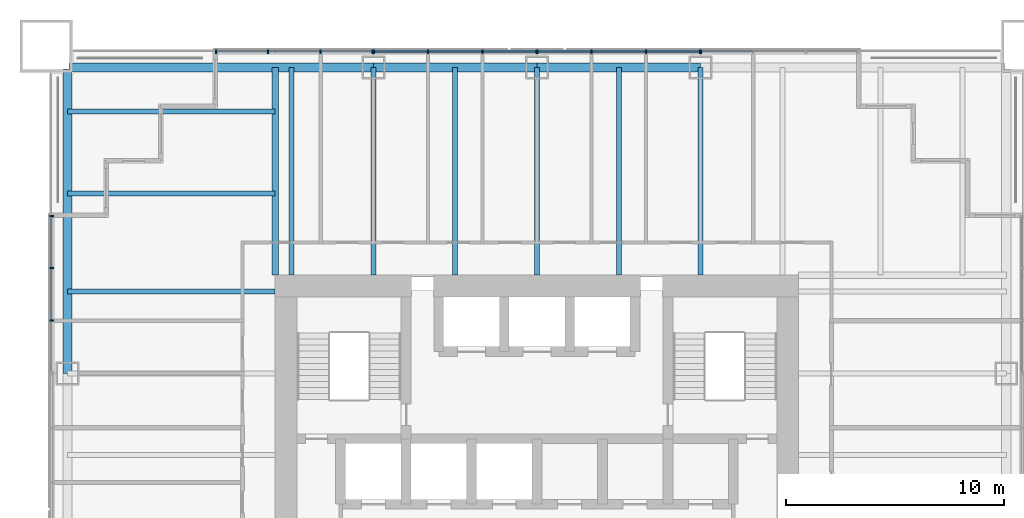
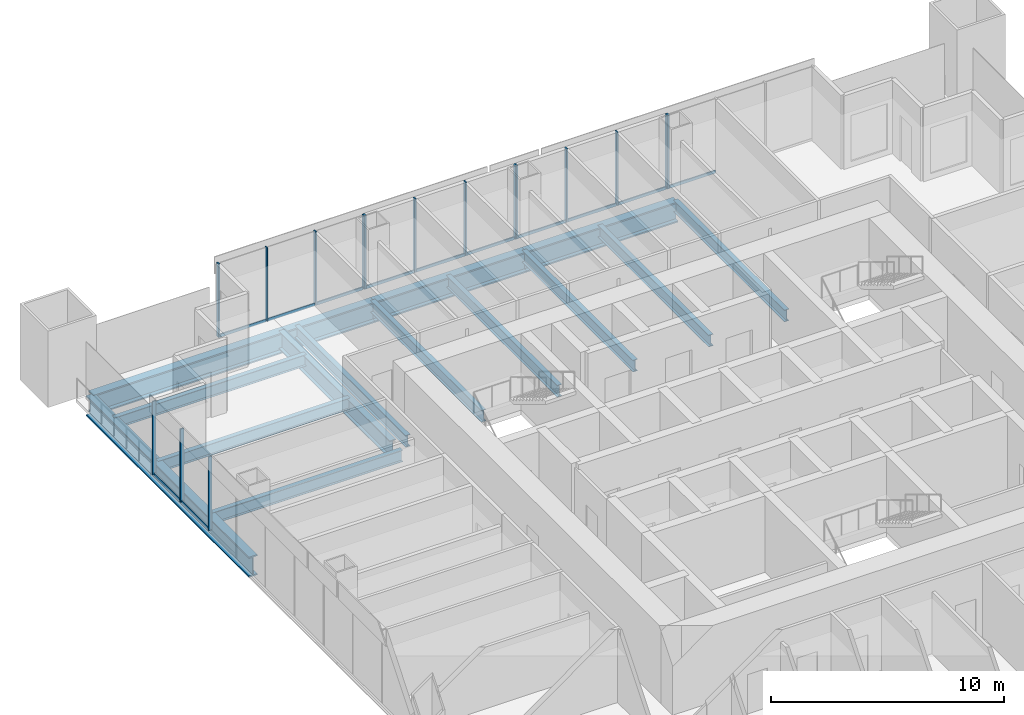
# One storey, part 5 of 14: 28 members, 14 beams, 5 elements without a shape of their own.
"""IFC4 building model written with IfcOpenShell, lengths in metres."""

from ifc_helpers import new_model, si_unit, direction, frame, origin, origin_2d, place, context, subcontext, project, spatial, rectangle, i_section, extrude, material, material_profile, profile_set, type_object, element, aggregate, save


model = new_model("IFC4")

# Units and contexts
model_context = context("Model", 3, precision=1e-05, world=origin(), true_north=direction((0.0, 1.0)))
body_context = subcontext(model_context, "Body", "Model", "MODEL_VIEW")
ifc_project = project(units=[si_unit("LENGTHUNIT", "METRE"), si_unit("AREAUNIT", "SQUARE_METRE"), si_unit("VOLUMEUNIT", "CUBIC_METRE"), si_unit("PLANEANGLEUNIT", "RADIAN"), si_unit("MASSUNIT", "GRAM", prefix="KILO")], contexts=[model_context])

# Site, building, storey
site_placement = place(None, origin())
site = spatial("IfcSite", under=ifc_project, at=site_placement, CompositionType="ELEMENT")
building_placement = place(site_placement, origin())
building = spatial("IfcBuilding", under=site, at=building_placement, Name="Tarangal Relay Tower", CompositionType="ELEMENT")
storey_placement = place(building_placement, frame((0.0, 0.0, 229.89990234375)))
storey = spatial("IfcBuildingStorey", under=building, at=storey_placement, Name="L49", CompositionType="ELEMENT", Elevation=229.89990234375)

# Beams
ifc_material_1 = material(Name="Steel ASTM A992", Category="steel")
ifc_material_profile_1 = material_profile(ifc_material_1, i_section(OverallWidth=0.227783203125, OverallDepth=0.60205078125, WebThickness=0.010498046875, FlangeThickness=0.014892578125, at=origin_2d()), Name="W24X68")
ifc_profile_set_1 = profile_set([ifc_material_profile_1], Name="Steel ASTM A992")
beam_type_1 = type_object("IfcBeamType", Name="Corner beam W24X68", PredefinedType="JOIST", material=ifc_profile_set_1)
for number, where, z_axis, x_axis, name in (
    (1, (-12.0, 15.75, -0.450927734375), (-1.0, 0.0, 0.0), (0.0, -1.0, 0.0), "Corner beam CB11 W L49"),
    (2, (-12.0, 19.5, -0.450927734375), (-1.0, 0.0, 0.0), (0.0, -1.0, 0.0), "Corner beam CB11 W L49"),
):
    element("IfcBeam", number, at=place(storey_placement, frame(where, z_axis=z_axis, x_axis=x_axis)), inside=storey, type_object=beam_type_1, Name=name, PredefinedType="JOIST", context=body_context, shape_type="SweptSolid", body=[
        extrude(i_section(OverallWidth=0.227783203125, OverallDepth=0.60205078125, WebThickness=0.010498046875, FlangeThickness=0.014892578125, at=origin_2d()), origin(), (0.0, 0.0, 1.0), 9.514892578125),
    ])
ifc_material_profile_2 = material_profile(ifc_material_1, i_section(OverallWidth=0.307373046875, OverallDepth=0.9423828125, WebThickness=0.022216796875, FlangeThickness=0.039794921875, at=origin_2d()), Name="W36X232")
ifc_profile_set_2 = profile_set([ifc_material_profile_2], Name="Steel ASTM A992")
beam_type_2 = type_object("IfcBeamType", Name="Corner girder W36X232", PredefinedType="BEAM", material=ifc_profile_set_2)
beam_1_placement = place(storey_placement, frame((-12.0, 12.0, -0.62109375), z_axis=(0.0, 1.0, 0.0), x_axis=(-1.0, 0.0, 0.0)))
element("IfcBeam", 3, at=beam_1_placement, inside=storey, type_object=beam_type_2, Name="Corner girder CG4 W L49", PredefinedType="BEAM", context=body_context, shape_type="SweptSolid", body=[
    extrude(i_section(OverallWidth=0.307373046875, OverallDepth=0.9423828125, WebThickness=0.022216796875, FlangeThickness=0.039794921875, at=origin_2d()), origin(), (0.0, 0.0, 1.0), 9.514892578125),
])
ifc_material_profile_3 = material_profile(ifc_material_1, i_section(OverallWidth=0.41650390625, OverallDepth=1.0693359375, WebThickness=0.0390625, FlangeThickness=0.070068359375, at=origin_2d()), Name="W40X503")
ifc_profile_set_3 = profile_set([ifc_material_profile_3], Name="Steel ASTM A992")
beam_type_3 = type_object("IfcBeamType", Name="Edge girder W40X503", PredefinedType="SPANDREL", material=ifc_profile_set_3)
beam_2_placement = place(storey_placement, frame((-21.449951171875, 21.514892578125, -0.6845703125), z_axis=(1.0, 0.0, 0.0), x_axis=(0.0, 1.0, 0.0)))
element("IfcBeam", 4, at=beam_2_placement, inside=storey, type_object=beam_type_3, Name="Edge girder EG8 N L49", PredefinedType="SPANDREL", context=body_context, shape_type="SweptSolid", body=[
    extrude(i_section(OverallWidth=0.41650390625, OverallDepth=1.0693359375, WebThickness=0.0390625, FlangeThickness=0.070068359375, at=origin_2d()), origin(), (0.0, 0.0, 1.0), 13.949951171875),
])
for number, where, z_axis, x_axis, name in (
    (5, (-7.5, 21.514892578125, -0.6845703125), (1.0, 0.0, 0.0), (0.0, 1.0, 0.0), "Edge girder EG8 N L49"),
    (6, (0.0, 21.514892578125, -0.6845703125), (1.0, 0.0, 0.0), (0.0, 1.0, 0.0), "Edge girder EG8 N L49"),
):
    element("IfcBeam", number, at=place(storey_placement, frame(where, z_axis=z_axis, x_axis=x_axis)), inside=storey, type_object=beam_type_3, Name=name, PredefinedType="SPANDREL", context=body_context, shape_type="SweptSolid", body=[
        extrude(i_section(OverallWidth=0.41650390625, OverallDepth=1.0693359375, WebThickness=0.0390625, FlangeThickness=0.070068359375, at=origin_2d()), origin(), (0.0, 0.0, 1.0), 7.5),
    ])
beam_3_placement = place(storey_placement, frame((-21.514892578125, 7.5, -0.6845703125), z_axis=(0.0, 1.0, 0.0), x_axis=(-1.0, 0.0, 0.0)))
element("IfcBeam", 7, at=beam_3_placement, inside=storey, type_object=beam_type_3, Name="Edge girder EG8 W L49", PredefinedType="SPANDREL", context=body_context, shape_type="SweptSolid", body=[
    extrude(i_section(OverallWidth=0.41650390625, OverallDepth=1.0693359375, WebThickness=0.0390625, FlangeThickness=0.070068359375, at=origin_2d()), origin(), (0.0, 0.0, 1.0), 13.949951171875),
])
ifc_material_profile_4 = material_profile(ifc_material_1, i_section(OverallWidth=0.22900390625, OverallDepth=0.612060546875, WebThickness=0.011962890625, FlangeThickness=0.01953125, at=origin_2d()), Name="W24X84")
ifc_profile_set_4 = profile_set([ifc_material_profile_4], Name="Steel ASTM A992")
beam_type_4 = type_object("IfcBeamType", Name="Floor beam W24X84", PredefinedType="BEAM", material=ifc_profile_set_4)
for number, where, z_axis, x_axis, name in (
    (8, (-11.25, 12.0, -0.455810546875), (0.0, 1.0, 0.0), (-1.0, 0.0, 0.0), "Floor beam RB12 N L49"),
    (9, (-7.5, 12.0, -0.455810546875), (0.0, 1.0, 0.0), (-1.0, 0.0, 0.0), "Floor beam RB12 N L49"),
    (10, (-3.75, 12.0, -0.455810546875), (0.0, 1.0, 0.0), (-1.0, 0.0, 0.0), "Floor beam RB12 N L49"),
    (11, (0.0, 12.0, -0.455810546875), (0.0, 1.0, 0.0), (-1.0, 0.0, 0.0), "Floor beam RB12 N L49"),
    (12, (3.75, 12.0, -0.455810546875), (0.0, 1.0, 0.0), (-1.0, 0.0, 0.0), "Floor beam RB12 N L49"),
    (13, (7.5, 12.0, -0.455810546875), (0.0, 1.0, 0.0), (-1.0, 0.0, 0.0), "Floor beam RB12 N L49"),
    (14, (-12.0, 11.25, -0.455810546875), (-1.0, 0.0, 0.0), (0.0, -1.0, 0.0), "Floor beam RB12 W L49"),
):
    element("IfcBeam", number, at=place(storey_placement, frame(where, z_axis=z_axis, x_axis=x_axis)), inside=storey, type_object=beam_type_4, Name=name, PredefinedType="BEAM", context=body_context, shape_type="SweptSolid", body=[
        extrude(i_section(OverallWidth=0.22900390625, OverallDepth=0.612060546875, WebThickness=0.011962890625, FlangeThickness=0.01953125, at=origin_2d()), origin(), (0.0, 0.0, 1.0), 9.514892578125),
    ])

# Curtain wall, members
ifc_material_2 = material(Name="Unitised curtain wall, dark glass and black aluminium", Category="aluminium")
curtain_wall_type_1 = type_object("IfcCurtainWallType", Name="Curtain wall CW-A", PredefinedType="USERDEFINED", material=ifc_material_2)
curtain_wall_1_placement = place(storey_placement, origin())
curtain_wall_1 = element("IfcCurtainWall", 15, at=curtain_wall_1_placement, inside=storey, type_object=curtain_wall_type_1, Name="Curtain wall CW-A N facade L49", ObjectType="UNITISED CURTAIN WALL", PredefinedType="USERDEFINED")
ifc_material_3 = material(Name="Black anodised aluminium mullion", Category="aluminium")
ifc_material_profile_5 = material_profile(ifc_material_3, rectangle(XDim=0.175048828125, YDim=0.06494140625, at=origin_2d()), Name="CW-AM 65X175")
ifc_profile_set_5 = profile_set([ifc_material_profile_5], Name="Black anodised aluminium mullion")
member_type_1 = type_object("IfcMemberType", Name="Mullion CW-A 65 x 175", PredefinedType="MULLION", material=ifc_profile_set_5)
member_1_placement = place(storey_placement, frame((-14.717529296875, 22.25, 0.0), z_axis=(0.0, 0.0, 1.0), x_axis=(0.0, 1.0, 0.0)))
member_1 = element("IfcMember", 16, at=member_1_placement, type_object=member_type_1, Name="CW-A mullion 1", PredefinedType="MULLION", context=body_context, shape_type="SweptSolid", body=[
    extrude(rectangle(XDim=0.175048828125, YDim=0.06494140625, at=origin_2d()), origin(), (0.0, 0.0, 1.0), 3.85009765625),
])
member_2_placement = place(storey_placement, frame((-12.333251953125, 22.25, 0.0), z_axis=(0.0, 0.0, 1.0), x_axis=(0.0, 1.0, 0.0)))
member_2 = element("IfcMember", 17, at=member_2_placement, type_object=member_type_1, Name="CW-A mullion 2", PredefinedType="MULLION", context=body_context, shape_type="SweptSolid", body=[
    extrude(rectangle(XDim=0.175048828125, YDim=0.06494140625, at=origin_2d()), origin(), (0.0, 0.0, 1.0), 3.85009765625),
])
member_3_placement = place(storey_placement, frame((-9.916748046875, 22.25, 0.0), z_axis=(0.0, 0.0, 1.0), x_axis=(0.0, 1.0, 0.0)))
member_3 = element("IfcMember", 18, at=member_3_placement, type_object=member_type_1, Name="CW-A mullion 3", PredefinedType="MULLION", context=body_context, shape_type="SweptSolid", body=[
    extrude(rectangle(XDim=0.175048828125, YDim=0.06494140625, at=origin_2d()), origin(), (0.0, 0.0, 1.0), 3.85009765625),
])
member_4_placement = place(storey_placement, frame((-7.532470703125, 22.25, 0.0), z_axis=(0.0, 0.0, 1.0), x_axis=(0.0, 1.0, 0.0)))
member_4 = element("IfcMember", 19, at=member_4_placement, type_object=member_type_1, Name="CW-A mullion 4", PredefinedType="MULLION", context=body_context, shape_type="SweptSolid", body=[
    extrude(rectangle(XDim=0.175048828125, YDim=0.06494140625, at=origin_2d()), origin(), (0.0, 0.0, 1.0), 3.85009765625),
])

# Curtain wall, member
curtain_wall_2_placement = place(storey_placement, origin())
curtain_wall_2 = element("IfcCurtainWall", 20, at=curtain_wall_2_placement, inside=storey, type_object=curtain_wall_type_1, Name="Curtain wall CW-A N facade L49", ObjectType="UNITISED CURTAIN WALL", PredefinedType="USERDEFINED")
member_5_placement = place(storey_placement, frame((7.532470703125, 22.25, 0.0), z_axis=(0.0, 0.0, 1.0), x_axis=(0.0, 1.0, 0.0)))
member_5 = element("IfcMember", 21, at=member_5_placement, type_object=member_type_1, Name="CW-A mullion 1", PredefinedType="MULLION", context=body_context, shape_type="SweptSolid", body=[
    extrude(rectangle(XDim=0.175048828125, YDim=0.06494140625, at=origin_2d()), origin(), (0.0, 0.0, 1.0), 3.85009765625),
])

# Curtain wall, members
curtain_wall_3_placement = place(storey_placement, origin())
curtain_wall_3 = element("IfcCurtainWall", 22, at=curtain_wall_3_placement, inside=storey, type_object=curtain_wall_type_1, Name="Curtain wall CW-A W facade L49", ObjectType="UNITISED CURTAIN WALL", PredefinedType="USERDEFINED")
member_6_placement = place(storey_placement, frame((-22.25, 9.916748046875, 0.0), z_axis=(0.0, 0.0, 1.0), x_axis=(-1.0, 0.0, 0.0)))
member_6 = element("IfcMember", 23, at=member_6_placement, type_object=member_type_1, Name="CW-A mullion 2", PredefinedType="MULLION", context=body_context, shape_type="SweptSolid", body=[
    extrude(rectangle(XDim=0.175048828125, YDim=0.06494140625, at=origin_2d()), origin(), (0.0, 0.0, 1.0), 3.85009765625),
])
member_7_placement = place(storey_placement, frame((-22.25, 12.333251953125, 0.0), z_axis=(0.0, 0.0, 1.0), x_axis=(-1.0, 0.0, 0.0)))
member_7 = element("IfcMember", 24, at=member_7_placement, type_object=member_type_1, Name="CW-A mullion 3", PredefinedType="MULLION", context=body_context, shape_type="SweptSolid", body=[
    extrude(rectangle(XDim=0.175048828125, YDim=0.06494140625, at=origin_2d()), origin(), (0.0, 0.0, 1.0), 3.85009765625),
])
member_8_placement = place(storey_placement, frame((-22.25, 14.717529296875, 0.0), z_axis=(0.0, 0.0, 1.0), x_axis=(-1.0, 0.0, 0.0)))
member_8 = element("IfcMember", 25, at=member_8_placement, type_object=member_type_1, Name="CW-A mullion 4", PredefinedType="MULLION", context=body_context, shape_type="SweptSolid", body=[
    extrude(rectangle(XDim=0.175048828125, YDim=0.06494140625, at=origin_2d()), origin(), (0.0, 0.0, 1.0), 3.85009765625),
])

ifc_material_4 = material(Name="Unitised curtain wall frame, black aluminium, with metal clad infill walls", Category="aluminium")
curtain_wall_type_2 = type_object("IfcCurtainWallType", Name="Curtain wall CW-AO", PredefinedType="USERDEFINED", material=ifc_material_4)
curtain_wall_4_placement = place(storey_placement, origin())
curtain_wall_4 = element("IfcCurtainWall", 26, at=curtain_wall_4_placement, inside=storey, type_object=curtain_wall_type_2, Name="Curtain wall CW-AO N facade L49", ObjectType="UNITISED CURTAIN WALL", PredefinedType="USERDEFINED")
ifc_material_profile_6 = material_profile(ifc_material_3, rectangle(XDim=0.175048828125, YDim=0.06494140625, at=origin_2d()), Name="CW-AOM 65X175")
ifc_profile_set_6 = profile_set([ifc_material_profile_6], Name="Black anodised aluminium mullion")
member_type_2 = type_object("IfcMemberType", Name="Mullion CW-AO 65 x 175", PredefinedType="MULLION", material=ifc_profile_set_6)
member_9_placement = place(storey_placement, frame((-7.467529296875, 22.25, 0.0), z_axis=(0.0, 0.0, 1.0), x_axis=(0.0, 1.0, 0.0)))
member_9 = element("IfcMember", 27, at=member_9_placement, type_object=member_type_2, Name="CW-AO mullion 1", PredefinedType="MULLION", context=body_context, shape_type="SweptSolid", body=[
    extrude(rectangle(XDim=0.175048828125, YDim=0.06494140625, at=origin_2d()), origin(), (0.0, 0.0, 1.0), 3.85009765625),
])
member_10_placement = place(storey_placement, frame((-5.0, 22.25, 0.0), z_axis=(0.0, 0.0, 1.0), x_axis=(0.0, 1.0, 0.0)))
member_10 = element("IfcMember", 28, at=member_10_placement, type_object=member_type_2, Name="CW-AO mullion 2", PredefinedType="MULLION", context=body_context, shape_type="SweptSolid", body=[
    extrude(rectangle(XDim=0.175048828125, YDim=0.06494140625, at=origin_2d()), origin(), (0.0, 0.0, 1.0), 3.85009765625),
])
member_11_placement = place(storey_placement, frame((-2.5, 22.25, 0.0), z_axis=(0.0, 0.0, 1.0), x_axis=(0.0, 1.0, 0.0)))
member_11 = element("IfcMember", 29, at=member_11_placement, type_object=member_type_2, Name="CW-AO mullion 3", PredefinedType="MULLION", context=body_context, shape_type="SweptSolid", body=[
    extrude(rectangle(XDim=0.175048828125, YDim=0.06494140625, at=origin_2d()), origin(), (0.0, 0.0, 1.0), 3.85009765625),
])
member_12_placement = place(storey_placement, frame((-0.032470703125, 22.25, 0.0), z_axis=(0.0, 0.0, 1.0), x_axis=(0.0, 1.0, 0.0)))
member_12 = element("IfcMember", 30, at=member_12_placement, type_object=member_type_2, Name="CW-AO mullion 4", PredefinedType="MULLION", context=body_context, shape_type="SweptSolid", body=[
    extrude(rectangle(XDim=0.175048828125, YDim=0.06494140625, at=origin_2d()), origin(), (0.0, 0.0, 1.0), 3.85009765625),
])

curtain_wall_5_placement = place(storey_placement, origin())
curtain_wall_5 = element("IfcCurtainWall", 31, at=curtain_wall_5_placement, inside=storey, type_object=curtain_wall_type_2, Name="Curtain wall CW-AO N facade L49", ObjectType="UNITISED CURTAIN WALL", PredefinedType="USERDEFINED")
member_13_placement = place(storey_placement, frame((0.032470703125, 22.25, 0.0), z_axis=(0.0, 0.0, 1.0), x_axis=(0.0, 1.0, 0.0)))
member_13 = element("IfcMember", 32, at=member_13_placement, type_object=member_type_2, Name="CW-AO mullion 1", PredefinedType="MULLION", context=body_context, shape_type="SweptSolid", body=[
    extrude(rectangle(XDim=0.175048828125, YDim=0.06494140625, at=origin_2d()), origin(), (0.0, 0.0, 1.0), 3.85009765625),
])
member_14_placement = place(storey_placement, frame((2.5, 22.25, 0.0), z_axis=(0.0, 0.0, 1.0), x_axis=(0.0, 1.0, 0.0)))
member_14 = element("IfcMember", 33, at=member_14_placement, type_object=member_type_2, Name="CW-AO mullion 2", PredefinedType="MULLION", context=body_context, shape_type="SweptSolid", body=[
    extrude(rectangle(XDim=0.175048828125, YDim=0.06494140625, at=origin_2d()), origin(), (0.0, 0.0, 1.0), 3.85009765625),
])
member_15_placement = place(storey_placement, frame((5.0, 22.25, 0.0), z_axis=(0.0, 0.0, 1.0), x_axis=(0.0, 1.0, 0.0)))
member_15 = element("IfcMember", 34, at=member_15_placement, type_object=member_type_2, Name="CW-AO mullion 3", PredefinedType="MULLION", context=body_context, shape_type="SweptSolid", body=[
    extrude(rectangle(XDim=0.175048828125, YDim=0.06494140625, at=origin_2d()), origin(), (0.0, 0.0, 1.0), 3.85009765625),
])
member_16_placement = place(storey_placement, frame((7.467529296875, 22.25, 0.0), z_axis=(0.0, 0.0, 1.0), x_axis=(0.0, 1.0, 0.0)))
member_16 = element("IfcMember", 35, at=member_16_placement, type_object=member_type_2, Name="CW-AO mullion 4", PredefinedType="MULLION", context=body_context, shape_type="SweptSolid", body=[
    extrude(rectangle(XDim=0.175048828125, YDim=0.06494140625, at=origin_2d()), origin(), (0.0, 0.0, 1.0), 3.85009765625),
])

# Member
ifc_material_5 = material(Name="Black anodised aluminium transom", Category="aluminium")
ifc_material_profile_7 = material_profile(ifc_material_5, rectangle(XDim=0.06494140625, YDim=0.14990234375, at=origin_2d()), Name="CW-AT 65X150")
ifc_profile_set_7 = profile_set([ifc_material_profile_7], Name="Black anodised aluminium transom")
member_type_3 = type_object("IfcMemberType", Name="Transom CW-A 65 x 150", PredefinedType="USERDEFINED", material=ifc_profile_set_7)
member_17_placement = place(storey_placement, frame((-14.68505859375, 22.25, 0.03271484375), z_axis=(1.0, 0.0, 0.0), x_axis=(0.0, 1.0, 0.0)))
member_17 = element("IfcMember", 36, at=member_17_placement, type_object=member_type_3, Name="CW-A transom 1.1", ObjectType="TRANSOM", PredefinedType="USERDEFINED", context=body_context, shape_type="SweptSolid", body=[
    extrude(rectangle(XDim=0.06494140625, YDim=0.14990234375, at=origin_2d()), origin(), (0.0, 0.0, 1.0), 2.3193359375),
])

member_18_placement = place(storey_placement, frame((-12.30078125, 22.25, 0.03271484375), z_axis=(1.0, 0.0, 0.0), x_axis=(0.0, 1.0, 0.0)))
member_18 = element("IfcMember", 37, at=member_18_placement, type_object=member_type_3, Name="CW-A transom 2.1", ObjectType="TRANSOM", PredefinedType="USERDEFINED", context=body_context, shape_type="SweptSolid", body=[
    extrude(rectangle(XDim=0.06494140625, YDim=0.14990234375, at=origin_2d()), origin(), (0.0, 0.0, 1.0), 2.3515625),
])

member_19_placement = place(storey_placement, frame((-9.88427734375, 22.25, 0.03271484375), z_axis=(1.0, 0.0, 0.0), x_axis=(0.0, 1.0, 0.0)))
member_19 = element("IfcMember", 38, at=member_19_placement, type_object=member_type_3, Name="CW-A transom 3.1", ObjectType="TRANSOM", PredefinedType="USERDEFINED", context=body_context, shape_type="SweptSolid", body=[
    extrude(rectangle(XDim=0.06494140625, YDim=0.14990234375, at=origin_2d()), origin(), (0.0, 0.0, 1.0), 2.3193359375),
])

aggregate(curtain_wall_1, [member_1, member_2, member_3, member_4, member_17, member_18, member_19])

member_20_placement = place(storey_placement, frame((7.56494140625, 22.25, 0.03271484375), z_axis=(1.0, 0.0, 0.0), x_axis=(0.0, 1.0, 0.0)))
member_20 = element("IfcMember", 39, at=member_20_placement, type_object=member_type_3, Name="CW-A transom 1.1", ObjectType="TRANSOM", PredefinedType="USERDEFINED", context=body_context, shape_type="SweptSolid", body=[
    extrude(rectangle(XDim=0.06494140625, YDim=0.14990234375, at=origin_2d()), origin(), (0.0, 0.0, 1.0), 2.3193359375),
])

aggregate(curtain_wall_2, [member_5, member_20])

member_21_placement = place(storey_placement, frame((-22.25, 9.94921875, 0.03271484375), z_axis=(0.0, 1.0, 0.0), x_axis=(-1.0, 0.0, 0.0)))
member_21 = element("IfcMember", 40, at=member_21_placement, type_object=member_type_3, Name="CW-A transom 2.1", ObjectType="TRANSOM", PredefinedType="USERDEFINED", context=body_context, shape_type="SweptSolid", body=[
    extrude(rectangle(XDim=0.06494140625, YDim=0.14990234375, at=origin_2d()), origin(), (0.0, 0.0, 1.0), 2.3515625),
])

member_22_placement = place(storey_placement, frame((-22.25, 12.36572265625, 0.03271484375), z_axis=(0.0, 1.0, 0.0), x_axis=(-1.0, 0.0, 0.0)))
member_22 = element("IfcMember", 41, at=member_22_placement, type_object=member_type_3, Name="CW-A transom 3.1", ObjectType="TRANSOM", PredefinedType="USERDEFINED", context=body_context, shape_type="SweptSolid", body=[
    extrude(rectangle(XDim=0.06494140625, YDim=0.14990234375, at=origin_2d()), origin(), (0.0, 0.0, 1.0), 2.3193359375),
])

aggregate(curtain_wall_3, [member_6, member_7, member_8, member_21, member_22])

ifc_material_profile_8 = material_profile(ifc_material_5, rectangle(XDim=0.06494140625, YDim=0.14990234375, at=origin_2d()), Name="CW-AOT 65X150")
ifc_profile_set_8 = profile_set([ifc_material_profile_8], Name="Black anodised aluminium transom")
member_type_4 = type_object("IfcMemberType", Name="Transom CW-AO 65 x 150", PredefinedType="USERDEFINED", material=ifc_profile_set_8)
member_23_placement = place(storey_placement, frame((-7.43505859375, 22.25, 0.03271484375), z_axis=(1.0, 0.0, 0.0), x_axis=(0.0, 1.0, 0.0)))
member_23 = element("IfcMember", 42, at=member_23_placement, type_object=member_type_4, Name="CW-AO transom 1.1", ObjectType="TRANSOM", PredefinedType="USERDEFINED", context=body_context, shape_type="SweptSolid", body=[
    extrude(rectangle(XDim=0.06494140625, YDim=0.14990234375, at=origin_2d()), origin(), (0.0, 0.0, 1.0), 2.402587890625),
])

member_24_placement = place(storey_placement, frame((-4.967529296875, 22.25, 0.03271484375), z_axis=(1.0, 0.0, 0.0), x_axis=(0.0, 1.0, 0.0)))
member_24 = element("IfcMember", 43, at=member_24_placement, type_object=member_type_4, Name="CW-AO transom 2.1", ObjectType="TRANSOM", PredefinedType="USERDEFINED", context=body_context, shape_type="SweptSolid", body=[
    extrude(rectangle(XDim=0.06494140625, YDim=0.14990234375, at=origin_2d()), origin(), (0.0, 0.0, 1.0), 2.43505859375),
])

member_25_placement = place(storey_placement, frame((-2.467529296875, 22.25, 0.03271484375), z_axis=(1.0, 0.0, 0.0), x_axis=(0.0, 1.0, 0.0)))
member_25 = element("IfcMember", 44, at=member_25_placement, type_object=member_type_4, Name="CW-AO transom 3.1", ObjectType="TRANSOM", PredefinedType="USERDEFINED", context=body_context, shape_type="SweptSolid", body=[
    extrude(rectangle(XDim=0.06494140625, YDim=0.14990234375, at=origin_2d()), origin(), (0.0, 0.0, 1.0), 2.402587890625),
])

aggregate(curtain_wall_4, [member_9, member_10, member_11, member_12, member_23, member_24, member_25])

member_26_placement = place(storey_placement, frame((0.06494140625, 22.25, 0.03271484375), z_axis=(1.0, 0.0, 0.0), x_axis=(0.0, 1.0, 0.0)))
member_26 = element("IfcMember", 45, at=member_26_placement, type_object=member_type_4, Name="CW-AO transom 1.1", ObjectType="TRANSOM", PredefinedType="USERDEFINED", context=body_context, shape_type="SweptSolid", body=[
    extrude(rectangle(XDim=0.06494140625, YDim=0.14990234375, at=origin_2d()), origin(), (0.0, 0.0, 1.0), 2.402587890625),
])

member_27_placement = place(storey_placement, frame((2.532470703125, 22.25, 0.03271484375), z_axis=(1.0, 0.0, 0.0), x_axis=(0.0, 1.0, 0.0)))
member_27 = element("IfcMember", 46, at=member_27_placement, type_object=member_type_4, Name="CW-AO transom 2.1", ObjectType="TRANSOM", PredefinedType="USERDEFINED", context=body_context, shape_type="SweptSolid", body=[
    extrude(rectangle(XDim=0.06494140625, YDim=0.14990234375, at=origin_2d()), origin(), (0.0, 0.0, 1.0), 2.43505859375),
])

member_28_placement = place(storey_placement, frame((5.032470703125, 22.25, 0.03271484375), z_axis=(1.0, 0.0, 0.0), x_axis=(0.0, 1.0, 0.0)))
member_28 = element("IfcMember", 47, at=member_28_placement, type_object=member_type_4, Name="CW-AO transom 3.1", ObjectType="TRANSOM", PredefinedType="USERDEFINED", context=body_context, shape_type="SweptSolid", body=[
    extrude(rectangle(XDim=0.06494140625, YDim=0.14990234375, at=origin_2d()), origin(), (0.0, 0.0, 1.0), 2.402587890625),
])

aggregate(curtain_wall_5, [member_13, member_14, member_15, member_16, member_26, member_27, member_28])

save(model, "model.ifc")
